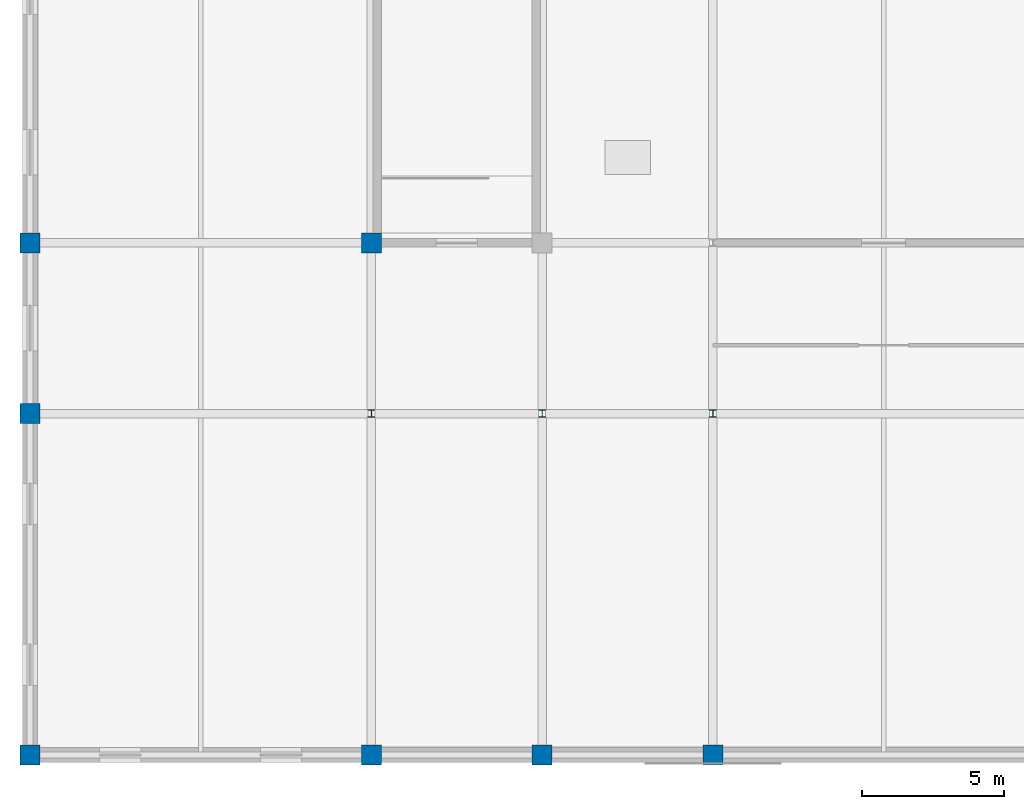
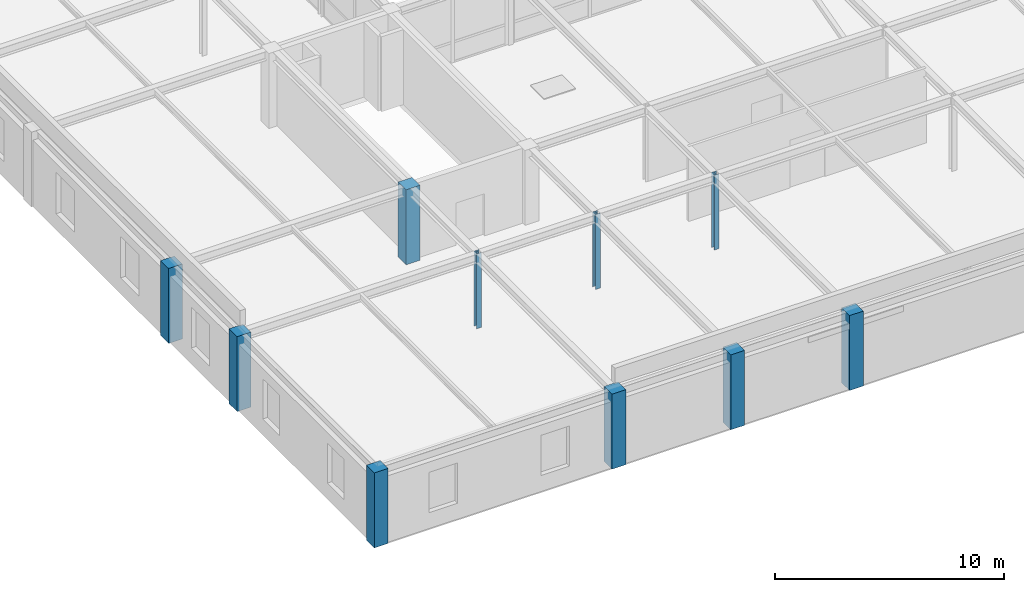
# One storey, part 1 of 111: 10 columns.
"""IFC4 building model written with IfcOpenShell, lengths in metres."""

from ifc_helpers import new_model, si_unit, direction, frame, origin, origin_2d, place, context, subcontext, project, spatial, rectangle, i_section, extrude, material, material_profile, profile_set, type_object, element, save


model = new_model("IFC4")

# Units and contexts
model_context = context("Model", 3, precision=1e-05, world=origin(), true_north=direction((0.0, 1.0)))
body_context = subcontext(model_context, "Body", "Model", "MODEL_VIEW")
ifc_project = project(units=[si_unit("LENGTHUNIT", "METRE"), si_unit("AREAUNIT", "SQUARE_METRE"), si_unit("VOLUMEUNIT", "CUBIC_METRE"), si_unit("PLANEANGLEUNIT", "RADIAN"), si_unit("MASSUNIT", "GRAM", prefix="KILO")], contexts=[model_context])

# Site, building, storey
site_placement = place(None, origin())
site = spatial("IfcSite", under=ifc_project, at=site_placement, CompositionType="ELEMENT")
building_placement = place(site_placement, origin())
building = spatial("IfcBuilding", under=site, at=building_placement, Name="Zlatovratsky Civic Hall", CompositionType="ELEMENT")
storey_placement = place(building_placement, frame((0.0, 0.0, 16.5)))
storey = spatial("IfcBuildingStorey", under=building, at=storey_placement, Name="L04", CompositionType="ELEMENT", Elevation=16.5)

# Columns
ifc_material_1 = material(Name="Concrete C35/45 (B40)", Category="concrete")
ifc_material_profile_1 = material_profile(ifc_material_1, rectangle(XDim=0.699951171875, YDim=0.699951171875, at=origin_2d()), Name="RC 700x700")
ifc_profile_set_1 = profile_set([ifc_material_profile_1], Name="Concrete C35/45 (B40)")
column_type_1 = type_object("IfcColumnType", Name="Col_CorePier_RC700", PredefinedType="COLUMN", material=ifc_profile_set_1)
for number, where, z_axis, x_axis, name in (
    (1, (0.0, 0.0, 0.0), (0.0, 0.0, 1.0), (1.0, 0.0, 0.0), "CL-1551"),
    (2, (12.0, 0.0, 0.0), (0.0, 0.0, 1.0), (1.0, 0.0, 0.0), "CL-1552"),
    (3, (18.0, 0.0, 0.0), (0.0, 0.0, 1.0), (1.0, 0.0, 0.0), "CL-1553"),
    (4, (24.0, 0.0, 0.0), (0.0, 0.0, 1.0), (1.0, 0.0, 0.0), "CL-1554"),
    (5, (0.0, 12.0, 0.0), (0.0, 0.0, 1.0), (1.0, 0.0, 0.0), "CL-1565"),
    (6, (0.0, 18.0, 0.0), (0.0, 0.0, 1.0), (1.0, 0.0, 0.0), "CL-1588"),
    (7, (12.0, 18.0, 0.0), (0.0, 0.0, 1.0), (1.0, 0.0, 0.0), "CL-1589"),
):
    element("IfcColumn", number, at=place(storey_placement, frame(where, z_axis=z_axis, x_axis=x_axis)), inside=storey, type_object=column_type_1, Name=name, PredefinedType="COLUMN", context=body_context, shape_type="SweptSolid", body=[
        extrude(rectangle(XDim=0.699951171875, YDim=0.699951171875, at=origin_2d()), origin(), (0.0, 0.0, 1.0), 4.0),
    ])
ifc_material_2 = material(Name="Steel S355", Category="steel")
ifc_material_profile_2 = material_profile(ifc_material_2, i_section(OverallWidth=0.25, OverallDepth=0.25, WebThickness=0.009033203125, FlangeThickness=0.013916015625, FilletRadius=0.01611328125, at=origin_2d()), Name="25K2")
ifc_profile_set_2 = profile_set([ifc_material_profile_2], Name="Steel S355")
column_type_2 = type_object("IfcColumnType", Name="Col_Steel_25K2", PredefinedType="COLUMN", material=ifc_profile_set_2)
for number, where, z_axis, x_axis, name in (
    (8, (12.0, 12.0, 0.0), (0.0, 0.0, 1.0), (1.0, 0.0, 0.0), "CL-1566"),
    (9, (18.0, 12.0, 0.0), (0.0, 0.0, 1.0), (1.0, 0.0, 0.0), "CL-1567"),
    (10, (24.0, 12.0, 0.0), (0.0, 0.0, 1.0), (1.0, 0.0, 0.0), "CL-1568"),
):
    element("IfcColumn", number, at=place(storey_placement, frame(where, z_axis=z_axis, x_axis=x_axis)), inside=storey, type_object=column_type_2, Name=name, PredefinedType="COLUMN", context=body_context, shape_type="SweptSolid", body=[
        extrude(i_section(OverallWidth=0.25, OverallDepth=0.25, WebThickness=0.009033203125, FlangeThickness=0.013916015625, FilletRadius=0.01611328125, at=origin_2d()), origin(), (0.0, 0.0, 1.0), 4.0),
    ])

save(model, "model.ifc")
